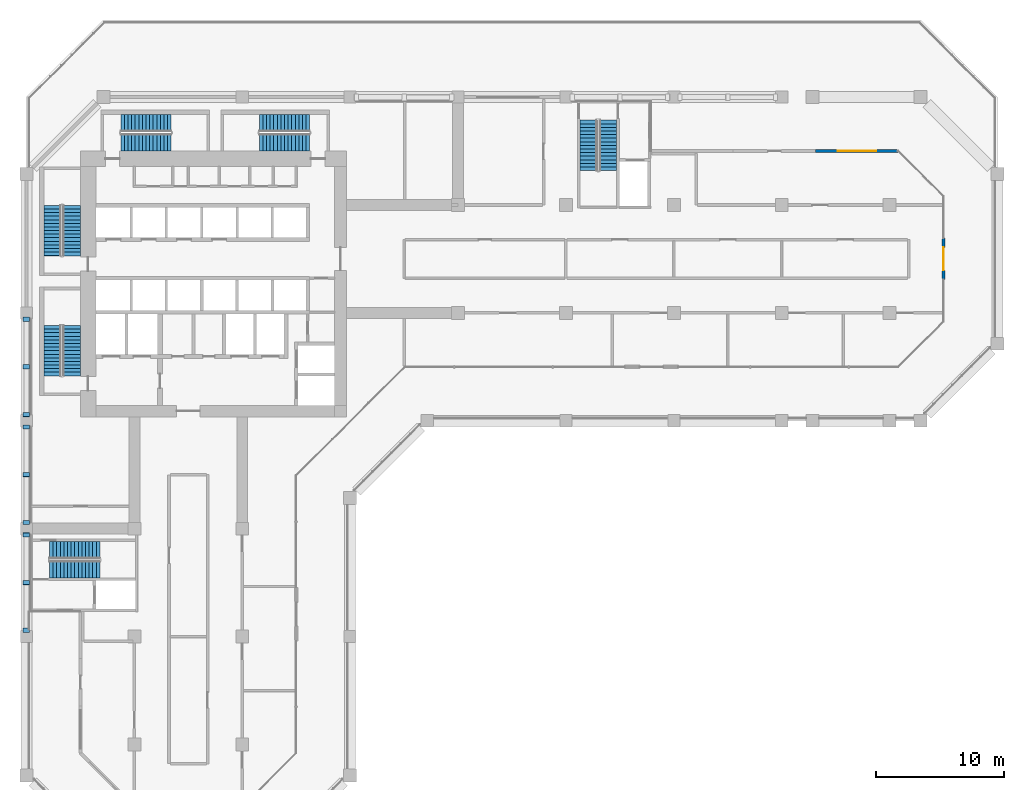
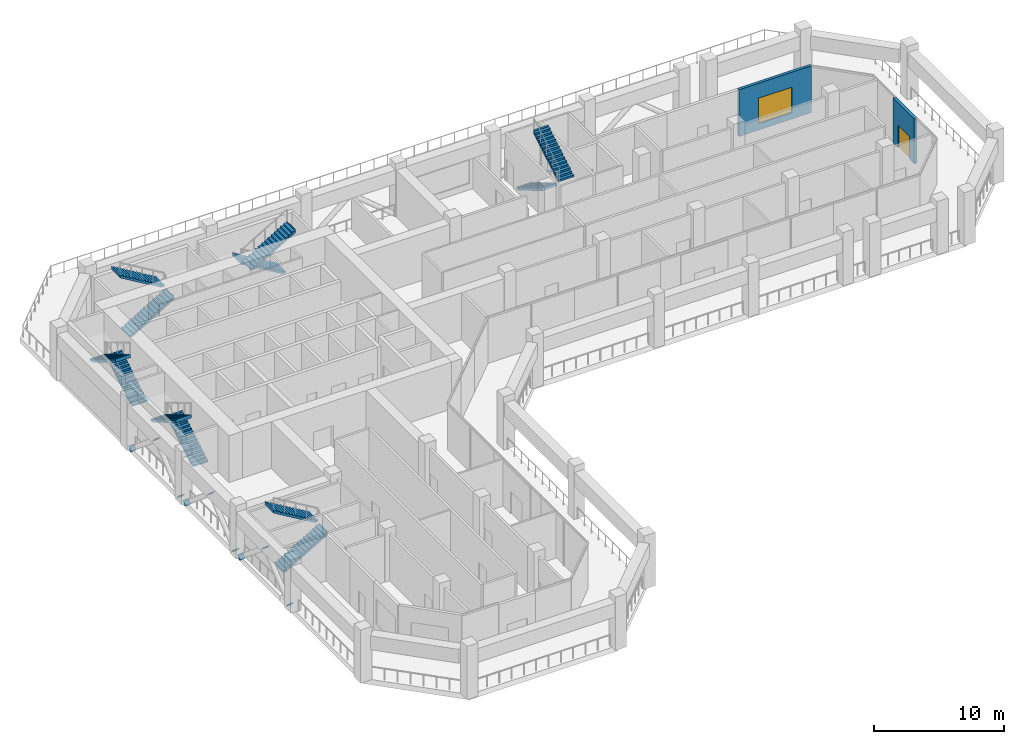
# One storey, part 10 of 19: 12 stair flights, 9 discrete accessories, 2 walls, 1 door, 1 window, 2 openings, 6 elements without a shape of their own.
"""IFC4 building model written with IfcOpenShell, lengths in metres."""

from ifc_helpers import new_model, si_unit, direction, frame, frame_2d, origin, origin_2d, place, context, subcontext, project, spatial, polyline, rectangle, outline, extrude, material, layer, layer_set, material_profile, profile_set, type_object, element, fill, aggregate, save


model = new_model("IFC4")

# Units and contexts
model_context = context("Model", 3, precision=1e-05, world=origin(), true_north=direction((0.0, 1.0)))
body_context = subcontext(model_context, "Body", "Model", "MODEL_VIEW")
ifc_project = project(units=[si_unit("LENGTHUNIT", "METRE"), si_unit("AREAUNIT", "SQUARE_METRE"), si_unit("VOLUMEUNIT", "CUBIC_METRE"), si_unit("PLANEANGLEUNIT", "RADIAN"), si_unit("MASSUNIT", "GRAM", prefix="KILO")], contexts=[model_context])

# Site, building, storey
site_placement = place(None, origin())
site = spatial("IfcSite", under=ifc_project, at=site_placement, CompositionType="ELEMENT")
building_placement = place(site_placement, origin())
building = spatial("IfcBuilding", under=site, at=building_placement, Name="Kawkab Arch Medical Tower", CompositionType="ELEMENT")
storey_placement = place(building_placement, frame((0.0, 0.0, 153.39990234375)))
storey = spatial("IfcBuildingStorey", under=building, at=storey_placement, Name="L35", CompositionType="ELEMENT", Elevation=153.39990234375)

# Wall, opening, door
ifc_material_1 = material(Name="Bronze clad insulated wall panel")
ifc_layer = layer(ifc_material_1, 0.25)
ifc_layer_set = layer_set([ifc_layer], Name="Bronze clad insulated wall panel")
wall_type = type_object("IfcWallType", Name="External wall bay 250", PredefinedType="SOLIDWALL", material=ifc_layer_set)
wall_1_placement = place(storey_placement, frame((71.40087890625, -14.219970703125, 0.0), z_axis=(0.0, 0.0, 1.0), x_axis=(0.0, 1.0, 0.0)))
wall_1 = element("IfcWall", 1, at=wall_1_placement, inside=storey, type_object=wall_type, Name="External wall bay L35.R13.2.1", PredefinedType="SOLIDWALL", context=body_context, shape_type="SweptSolid", body=[
    extrude(rectangle(XDim=3.239990234375, YDim=0.25, at=frame_2d((1.6201171875, 0.0))), origin(), (0.0, 0.0, 1.0), 4.239990234375),
])
opening_1_placement = place(wall_1_placement, frame((0.719970703125, 0.0, 0.0)))
opening_1 = element("IfcOpeningElement", 2, at=opening_1_placement, cuts=wall_1, Name="Opening PL2A-702", PredefinedType="OPENING", context=body_context, shape_type="SweptSolid", body=[
    extrude(rectangle(XDim=1.800048828125, YDim=2.10009765625, at=frame_2d((0.89990234375, 1.050048828125))), frame((0.0, 0.135009765625, 0.0), z_axis=(0.0, -1.0, 0.0), x_axis=(1.0, 0.0, 0.0)), (0.0, 0.0, 1.0), 0.27001953125),
])
ifc_material_2 = material(Name="Bronze anodised aluminium door with tinted glass", Category="aluminium")
door_type = type_object("IfcDoorType", Name="Double external door 1800 x 2100", OperationType="DOUBLE_DOOR_SINGLE_SWING", PredefinedType="DOOR", material=ifc_material_2)
door_placement = place(opening_1_placement, origin())
door = element("IfcDoor", 3, at=door_placement, inside=storey, type_object=door_type, Name="External door L35.R13.2.1", OperationType="DOUBLE_DOOR_SINGLE_SWING", OverallHeight=2.10009765625, OverallWidth=1.800048828125, PredefinedType="DOOR", context=body_context, shape_type="SweptSolid", body=[
    extrude(rectangle(XDim=1.800048828125, YDim=2.10009765625, at=frame_2d((0.89990234375, 1.050048828125))), frame((0.0, 0.02490234375, 0.0), z_axis=(0.0, -1.0, 0.0), x_axis=(1.0, 0.0, 0.0)), (0.0, 0.0, 1.0), 0.050048828125),
])
fill(opening_1, door)

# Wall, opening, window
wall_2_placement = place(storey_placement, frame((67.860107421875, -4.199951171875, 0.0), z_axis=(0.0, 0.0, 1.0), x_axis=(-1.0, 0.0, 0.0)))
wall_2 = element("IfcWall", 4, at=wall_2_placement, inside=storey, type_object=wall_type, Name="Plant wall L35.R15.1", PredefinedType="SOLIDWALL", context=body_context, shape_type="SweptSolid", body=[
    extrude(rectangle(XDim=6.419677734375, YDim=0.25, at=frame_2d((3.2099609375, 0.0))), origin(), (0.0, 0.0, 1.0), 4.400146484375),
])
opening_2_placement = place(wall_2_placement, frame((1.709716796875, 0.0, 0.60009765625)))
opening_2 = element("IfcOpeningElement", 5, at=opening_2_placement, cuts=wall_2, Name="Opening PW300-24-S6", PredefinedType="OPENING", context=body_context, shape_type="SweptSolid", body=[
    extrude(rectangle(XDim=3.0, YDim=2.39990234375, at=frame_2d((1.5, 1.199951171875))), frame((0.0, 0.135009765625, 0.0), z_axis=(0.0, -1.0, 0.0), x_axis=(1.0, 0.0, 0.0)), (0.0, 0.0, 1.0), 0.27001953125),
])
ifc_material_3 = material(Name="Bronze anodised aluminium louvred window", Category="aluminium")
window_type = type_object("IfcWindowType", Name="Plant louvre window 3000 x 2400 sill 600", PartitioningType="DOUBLE_PANEL_VERTICAL", PredefinedType="WINDOW", material=ifc_material_3)
window_placement = place(opening_2_placement, origin())
window = element("IfcWindow", 6, at=window_placement, inside=storey, type_object=window_type, Name="Plant louvre window L35.R15.1", OverallHeight=2.39990234375, OverallWidth=3.0, PartitioningType="SINGLE_PANEL", PredefinedType="WINDOW", context=body_context, shape_type="SweptSolid", body=[
    extrude(rectangle(XDim=3.0, YDim=2.39990234375, at=frame_2d((1.5, 1.199951171875))), frame((0.0, 0.030029296875, 0.0), z_axis=(0.0, -1.0, 0.0), x_axis=(1.0, 0.0, 0.0)), (0.0, 0.0, 1.0), 0.06005859375),
])
fill(opening_2, window)

# Stair, stair flights
ifc_material_4 = material(Name="Concrete C40/50", Category="concrete")
stair_type = type_object("IfcStairType", Name="Exit stair 1350", PredefinedType="HALF_TURN_STAIR", material=ifc_material_4)
placement = place(storey_placement, origin())
stair_1 = element("IfcStair", 7, at=placement, inside=storey, type_object=stair_type, Name="L35 Exit stair ST1", PredefinedType="HALF_TURN_STAIR")
ifc_material_5 = material(Name="Concrete C40/50", Category="concrete")
stair_flight_type = type_object("IfcStairFlightType", Name="Exit stair flight 1350", PredefinedType="STRAIGHT", material=ifc_material_5)
stair_flight_1_placement = place(storey_placement, frame((3.52490234375, -12.35009765625, 0.0), z_axis=(0.0, 0.0, 1.0), x_axis=(0.0, 1.0, 0.0)))
stair_flight_1 = element("IfcStairFlight", 8, at=stair_flight_1_placement, type_object=stair_flight_type, Name="ST1 flight 1", NumberOfRisers=15, NumberOfTreads=14, PredefinedType="STRAIGHT", RiserHeight=0.166666667, TreadLength=0.28, context=body_context, shape_type="SweptSolid", body=[
    extrude(outline(polyline([(-0.0029296875, 0.0), (-0.0029296875, 0.166748046875), (0.0, 0.166748046875), (0.280029296875, 0.166748046875), (0.280029296875, 0.333251953125), (0.56005859375, 0.333251953125), (0.56005859375, 0.5), (0.840087890625, 0.5), (0.840087890625, 0.666748046875), (1.1201171875, 0.666748046875), (1.1201171875, 0.833251953125), (1.39990234375, 0.833251953125), (1.39990234375, 1.0), (1.679931640625, 1.0), (1.679931640625, 1.166748046875), (1.9599609375, 1.166748046875), (1.9599609375, 1.333251953125), (2.239990234375, 1.333251953125), (2.239990234375, 1.5), (2.52001953125, 1.5), (2.52001953125, 1.666748046875), (2.800048828125, 1.666748046875), (2.800048828125, 1.833251953125), (3.080078125, 1.833251953125), (3.080078125, 2.0), (3.360107421875, 2.0), (3.360107421875, 2.166748046875), (3.639892578125, 2.166748046875), (3.639892578125, 2.333251953125), (3.919921875, 2.333251953125), (3.919921875, 2.5), (3.923095703125, 2.5), (3.923095703125, 2.158935546875), (3.919921875, 2.158935546875), (0.29296875, 0.0), (-0.0029296875, 0.0)])), frame((0.0, 0.675048828125, 0.0), z_axis=(0.0, -1.0, 0.0), x_axis=(1.0, 0.0, 0.0)), (0.0, 0.0, 1.0), 1.35009765625),
])
stair_flight_2_placement = place(storey_placement, frame((2.02490234375, -8.429931640625, 2.5), z_axis=(0.0, 0.0, 1.0), x_axis=(0.0, -1.0, 0.0)))
stair_flight_2 = element("IfcStairFlight", 9, at=stair_flight_2_placement, type_object=stair_flight_type, Name="ST1 flight 2", NumberOfRisers=15, NumberOfTreads=14, PredefinedType="STRAIGHT", RiserHeight=0.166666667, TreadLength=0.28, context=body_context, shape_type="SweptSolid", body=[
    extrude(outline(polyline([(-0.0029296875, 0.0), (-0.0029296875, 0.166748046875), (0.0, 0.166748046875), (0.280029296875, 0.166748046875), (0.280029296875, 0.333251953125), (0.56005859375, 0.333251953125), (0.56005859375, 0.5), (0.840087890625, 0.5), (0.840087890625, 0.666748046875), (1.1201171875, 0.666748046875), (1.1201171875, 0.833251953125), (1.39990234375, 0.833251953125), (1.39990234375, 1.0), (1.679931640625, 1.0), (1.679931640625, 1.166748046875), (1.9599609375, 1.166748046875), (1.9599609375, 1.333251953125), (2.239990234375, 1.333251953125), (2.239990234375, 1.5), (2.52001953125, 1.5), (2.52001953125, 1.666748046875), (2.800048828125, 1.666748046875), (2.800048828125, 1.833251953125), (3.080078125, 1.833251953125), (3.080078125, 2.0), (3.360107421875, 2.0), (3.360107421875, 2.166748046875), (3.639892578125, 2.166748046875), (3.639892578125, 2.333251953125), (3.919921875, 2.333251953125), (3.919921875, 2.5), (3.923095703125, 2.5), (3.923095703125, 2.158935546875), (3.919921875, 2.158935546875), (0.29296875, 0.0), (-0.0029296875, 0.0)])), frame((0.0, 0.675048828125, 0.0), z_axis=(0.0, -1.0, 0.0), x_axis=(1.0, 0.0, 0.0)), (0.0, 0.0, 1.0), 1.35009765625),
])
aggregate(stair_1, [stair_flight_1, stair_flight_2])

stair_2 = element("IfcStair", 10, at=placement, inside=storey, type_object=stair_type, Name="L35 Exit stair ST2", PredefinedType="HALF_TURN_STAIR")
stair_flight_3_placement = place(storey_placement, frame((3.52490234375, -21.699951171875, 0.0), z_axis=(0.0, 0.0, 1.0), x_axis=(0.0, 1.0, 0.0)))
stair_flight_3 = element("IfcStairFlight", 11, at=stair_flight_3_placement, type_object=stair_flight_type, Name="ST2 flight 1", NumberOfRisers=15, NumberOfTreads=14, PredefinedType="STRAIGHT", RiserHeight=0.166666667, TreadLength=0.28, context=body_context, shape_type="SweptSolid", body=[
    extrude(outline(polyline([(-0.0029296875, 0.0), (-0.0029296875, 0.166748046875), (0.0, 0.166748046875), (0.280029296875, 0.166748046875), (0.280029296875, 0.333251953125), (0.56005859375, 0.333251953125), (0.56005859375, 0.5), (0.840087890625, 0.5), (0.840087890625, 0.666748046875), (1.1201171875, 0.666748046875), (1.1201171875, 0.833251953125), (1.39990234375, 0.833251953125), (1.39990234375, 1.0), (1.679931640625, 1.0), (1.679931640625, 1.166748046875), (1.9599609375, 1.166748046875), (1.9599609375, 1.333251953125), (2.239990234375, 1.333251953125), (2.239990234375, 1.5), (2.52001953125, 1.5), (2.52001953125, 1.666748046875), (2.800048828125, 1.666748046875), (2.800048828125, 1.833251953125), (3.080078125, 1.833251953125), (3.080078125, 2.0), (3.360107421875, 2.0), (3.360107421875, 2.166748046875), (3.639892578125, 2.166748046875), (3.639892578125, 2.333251953125), (3.919921875, 2.333251953125), (3.919921875, 2.5), (3.923095703125, 2.5), (3.923095703125, 2.158935546875), (3.919921875, 2.158935546875), (0.29296875, 0.0), (-0.0029296875, 0.0)])), frame((0.0, 0.675048828125, 0.0), z_axis=(0.0, -1.0, 0.0), x_axis=(1.0, 0.0, 0.0)), (0.0, 0.0, 1.0), 1.35009765625),
])
stair_flight_4_placement = place(storey_placement, frame((2.02490234375, -17.780029296875, 2.5), z_axis=(0.0, 0.0, 1.0), x_axis=(0.0, -1.0, 0.0)))
stair_flight_4 = element("IfcStairFlight", 12, at=stair_flight_4_placement, type_object=stair_flight_type, Name="ST2 flight 2", NumberOfRisers=15, NumberOfTreads=14, PredefinedType="STRAIGHT", RiserHeight=0.166666667, TreadLength=0.28, context=body_context, shape_type="SweptSolid", body=[
    extrude(outline(polyline([(-0.0029296875, 0.0), (-0.0029296875, 0.166748046875), (0.0, 0.166748046875), (0.280029296875, 0.166748046875), (0.280029296875, 0.333251953125), (0.56005859375, 0.333251953125), (0.56005859375, 0.5), (0.840087890625, 0.5), (0.840087890625, 0.666748046875), (1.1201171875, 0.666748046875), (1.1201171875, 0.833251953125), (1.39990234375, 0.833251953125), (1.39990234375, 1.0), (1.679931640625, 1.0), (1.679931640625, 1.166748046875), (1.9599609375, 1.166748046875), (1.9599609375, 1.333251953125), (2.239990234375, 1.333251953125), (2.239990234375, 1.5), (2.52001953125, 1.5), (2.52001953125, 1.666748046875), (2.800048828125, 1.666748046875), (2.800048828125, 1.833251953125), (3.080078125, 1.833251953125), (3.080078125, 2.0), (3.360107421875, 2.0), (3.360107421875, 2.166748046875), (3.639892578125, 2.166748046875), (3.639892578125, 2.333251953125), (3.919921875, 2.333251953125), (3.919921875, 2.5), (3.923095703125, 2.5), (3.923095703125, 2.158935546875), (3.919921875, 2.158935546875), (0.29296875, 0.0), (-0.0029296875, 0.0)])), frame((0.0, 0.675048828125, 0.0), z_axis=(0.0, -1.0, 0.0), x_axis=(1.0, 0.0, 0.0)), (0.0, 0.0, 1.0), 1.35009765625),
])
aggregate(stair_2, [stair_flight_3, stair_flight_4])

stair_3 = element("IfcStair", 13, at=placement, inside=storey, type_object=stair_type, Name="L35 Exit stair ST3", PredefinedType="HALF_TURN_STAIR")
stair_flight_5_placement = place(storey_placement, frame((7.35009765625, -3.52490234375, 0.0), z_axis=(0.0, 0.0, 1.0), x_axis=(1.0, 0.0, 0.0)))
stair_flight_5 = element("IfcStairFlight", 14, at=stair_flight_5_placement, type_object=stair_flight_type, Name="ST3 flight 1", NumberOfRisers=15, NumberOfTreads=14, PredefinedType="STRAIGHT", RiserHeight=0.166666667, TreadLength=0.28, context=body_context, shape_type="SweptSolid", body=[
    extrude(outline(polyline([(-0.0029296875, 0.0), (-0.0029296875, 0.166748046875), (0.0, 0.166748046875), (0.280029296875, 0.166748046875), (0.280029296875, 0.333251953125), (0.56005859375, 0.333251953125), (0.56005859375, 0.5), (0.840087890625, 0.5), (0.840087890625, 0.666748046875), (1.1201171875, 0.666748046875), (1.1201171875, 0.833251953125), (1.39990234375, 0.833251953125), (1.39990234375, 1.0), (1.679931640625, 1.0), (1.679931640625, 1.166748046875), (1.9599609375, 1.166748046875), (1.9599609375, 1.333251953125), (2.239990234375, 1.333251953125), (2.239990234375, 1.5), (2.52001953125, 1.5), (2.52001953125, 1.666748046875), (2.800048828125, 1.666748046875), (2.800048828125, 1.833251953125), (3.080078125, 1.833251953125), (3.080078125, 2.0), (3.360107421875, 2.0), (3.360107421875, 2.166748046875), (3.639892578125, 2.166748046875), (3.639892578125, 2.333251953125), (3.919921875, 2.333251953125), (3.919921875, 2.5), (3.923095703125, 2.5), (3.923095703125, 2.158935546875), (3.919921875, 2.158935546875), (0.29296875, 0.0), (-0.0029296875, 0.0)])), frame((0.0, 0.675048828125, 0.0), z_axis=(0.0, -1.0, 0.0), x_axis=(1.0, 0.0, 0.0)), (0.0, 0.0, 1.0), 1.35009765625),
])
stair_flight_6_placement = place(storey_placement, frame((11.27001953125, -2.02490234375, 2.5), z_axis=(0.0, 0.0, 1.0), x_axis=(-1.0, 0.0, 0.0)))
stair_flight_6 = element("IfcStairFlight", 15, at=stair_flight_6_placement, type_object=stair_flight_type, Name="ST3 flight 2", NumberOfRisers=15, NumberOfTreads=14, PredefinedType="STRAIGHT", RiserHeight=0.166666667, TreadLength=0.28, context=body_context, shape_type="SweptSolid", body=[
    extrude(outline(polyline([(-0.0029296875, 0.0), (-0.0029296875, 0.166748046875), (0.0, 0.166748046875), (0.280029296875, 0.166748046875), (0.280029296875, 0.333251953125), (0.56005859375, 0.333251953125), (0.56005859375, 0.5), (0.840087890625, 0.5), (0.840087890625, 0.666748046875), (1.1201171875, 0.666748046875), (1.1201171875, 0.833251953125), (1.39990234375, 0.833251953125), (1.39990234375, 1.0), (1.679931640625, 1.0), (1.679931640625, 1.166748046875), (1.9599609375, 1.166748046875), (1.9599609375, 1.333251953125), (2.239990234375, 1.333251953125), (2.239990234375, 1.5), (2.52001953125, 1.5), (2.52001953125, 1.666748046875), (2.800048828125, 1.666748046875), (2.800048828125, 1.833251953125), (3.080078125, 1.833251953125), (3.080078125, 2.0), (3.360107421875, 2.0), (3.360107421875, 2.166748046875), (3.639892578125, 2.166748046875), (3.639892578125, 2.333251953125), (3.919921875, 2.333251953125), (3.919921875, 2.5), (3.923095703125, 2.5), (3.923095703125, 2.158935546875), (3.919921875, 2.158935546875), (0.29296875, 0.0), (-0.0029296875, 0.0)])), frame((0.0, 0.675048828125, 0.0), z_axis=(0.0, -1.0, 0.0), x_axis=(1.0, 0.0, 0.0)), (0.0, 0.0, 1.0), 1.35009765625),
])
aggregate(stair_3, [stair_flight_5, stair_flight_6])

stair_4 = element("IfcStair", 16, at=placement, inside=storey, type_object=stair_type, Name="L35 Exit stair ST4", PredefinedType="HALF_TURN_STAIR")
stair_flight_7_placement = place(storey_placement, frame((22.050048828125, -2.02490234375, 0.0), z_axis=(0.0, 0.0, 1.0), x_axis=(-1.0, 0.0, 0.0)))
stair_flight_7 = element("IfcStairFlight", 17, at=stair_flight_7_placement, type_object=stair_flight_type, Name="ST4 flight 1", NumberOfRisers=15, NumberOfTreads=14, PredefinedType="STRAIGHT", RiserHeight=0.166666667, TreadLength=0.28, context=body_context, shape_type="SweptSolid", body=[
    extrude(outline(polyline([(-0.0029296875, 0.0), (-0.0029296875, 0.166748046875), (0.0, 0.166748046875), (0.280029296875, 0.166748046875), (0.280029296875, 0.333251953125), (0.56005859375, 0.333251953125), (0.56005859375, 0.5), (0.840087890625, 0.5), (0.840087890625, 0.666748046875), (1.1201171875, 0.666748046875), (1.1201171875, 0.833251953125), (1.39990234375, 0.833251953125), (1.39990234375, 1.0), (1.679931640625, 1.0), (1.679931640625, 1.166748046875), (1.9599609375, 1.166748046875), (1.9599609375, 1.333251953125), (2.239990234375, 1.333251953125), (2.239990234375, 1.5), (2.52001953125, 1.5), (2.52001953125, 1.666748046875), (2.800048828125, 1.666748046875), (2.800048828125, 1.833251953125), (3.080078125, 1.833251953125), (3.080078125, 2.0), (3.360107421875, 2.0), (3.360107421875, 2.166748046875), (3.639892578125, 2.166748046875), (3.639892578125, 2.333251953125), (3.919921875, 2.333251953125), (3.919921875, 2.5), (3.923095703125, 2.5), (3.923095703125, 2.158935546875), (3.919921875, 2.158935546875), (0.29296875, 0.0), (-0.0029296875, 0.0)])), frame((0.0, 0.675048828125, 0.0), z_axis=(0.0, -1.0, 0.0), x_axis=(1.0, 0.0, 0.0)), (0.0, 0.0, 1.0), 1.35009765625),
])
stair_flight_8_placement = place(storey_placement, frame((18.1298828125, -3.52490234375, 2.5), z_axis=(0.0, 0.0, 1.0), x_axis=(1.0, 0.0, 0.0)))
stair_flight_8 = element("IfcStairFlight", 18, at=stair_flight_8_placement, type_object=stair_flight_type, Name="ST4 flight 2", NumberOfRisers=15, NumberOfTreads=14, PredefinedType="STRAIGHT", RiserHeight=0.166666667, TreadLength=0.28, context=body_context, shape_type="SweptSolid", body=[
    extrude(outline(polyline([(-0.0029296875, 0.0), (-0.0029296875, 0.166748046875), (0.0, 0.166748046875), (0.280029296875, 0.166748046875), (0.280029296875, 0.333251953125), (0.56005859375, 0.333251953125), (0.56005859375, 0.5), (0.840087890625, 0.5), (0.840087890625, 0.666748046875), (1.1201171875, 0.666748046875), (1.1201171875, 0.833251953125), (1.39990234375, 0.833251953125), (1.39990234375, 1.0), (1.679931640625, 1.0), (1.679931640625, 1.166748046875), (1.9599609375, 1.166748046875), (1.9599609375, 1.333251953125), (2.239990234375, 1.333251953125), (2.239990234375, 1.5), (2.52001953125, 1.5), (2.52001953125, 1.666748046875), (2.800048828125, 1.666748046875), (2.800048828125, 1.833251953125), (3.080078125, 1.833251953125), (3.080078125, 2.0), (3.360107421875, 2.0), (3.360107421875, 2.166748046875), (3.639892578125, 2.166748046875), (3.639892578125, 2.333251953125), (3.919921875, 2.333251953125), (3.919921875, 2.5), (3.923095703125, 2.5), (3.923095703125, 2.158935546875), (3.919921875, 2.158935546875), (0.29296875, 0.0), (-0.0029296875, 0.0)])), frame((0.0, 0.675048828125, 0.0), z_axis=(0.0, -1.0, 0.0), x_axis=(1.0, 0.0, 0.0)), (0.0, 0.0, 1.0), 1.35009765625),
])
aggregate(stair_4, [stair_flight_7, stair_flight_8])

stair_5 = element("IfcStair", 19, at=placement, inside=storey, type_object=stair_type, Name="L35 Exit stair ST5", PredefinedType="HALF_TURN_STAIR")
stair_flight_9_placement = place(storey_placement, frame((43.77490234375, -1.800048828125, 0.0), z_axis=(0.0, 0.0, 1.0), x_axis=(0.0, -1.0, 0.0)))
stair_flight_9 = element("IfcStairFlight", 20, at=stair_flight_9_placement, type_object=stair_flight_type, Name="ST5 flight 1", NumberOfRisers=15, NumberOfTreads=14, PredefinedType="STRAIGHT", RiserHeight=0.166666667, TreadLength=0.28, context=body_context, shape_type="SweptSolid", body=[
    extrude(outline(polyline([(-0.0029296875, 0.0), (-0.0029296875, 0.166748046875), (0.0, 0.166748046875), (0.280029296875, 0.166748046875), (0.280029296875, 0.333251953125), (0.56005859375, 0.333251953125), (0.56005859375, 0.5), (0.840087890625, 0.5), (0.840087890625, 0.666748046875), (1.1201171875, 0.666748046875), (1.1201171875, 0.833251953125), (1.39990234375, 0.833251953125), (1.39990234375, 1.0), (1.679931640625, 1.0), (1.679931640625, 1.166748046875), (1.9599609375, 1.166748046875), (1.9599609375, 1.333251953125), (2.239990234375, 1.333251953125), (2.239990234375, 1.5), (2.52001953125, 1.5), (2.52001953125, 1.666748046875), (2.800048828125, 1.666748046875), (2.800048828125, 1.833251953125), (3.080078125, 1.833251953125), (3.080078125, 2.0), (3.360107421875, 2.0), (3.360107421875, 2.166748046875), (3.639892578125, 2.166748046875), (3.639892578125, 2.333251953125), (3.919921875, 2.333251953125), (3.919921875, 2.5), (3.923095703125, 2.5), (3.923095703125, 2.158935546875), (3.919921875, 2.158935546875), (0.29296875, 0.0), (-0.0029296875, 0.0)])), frame((0.0, 0.675048828125, 0.0), z_axis=(0.0, -1.0, 0.0), x_axis=(1.0, 0.0, 0.0)), (0.0, 0.0, 1.0), 1.35009765625),
])
stair_flight_10_placement = place(storey_placement, frame((45.27490234375, -5.719970703125, 2.5), z_axis=(0.0, 0.0, 1.0), x_axis=(0.0, 1.0, 0.0)))
stair_flight_10 = element("IfcStairFlight", 21, at=stair_flight_10_placement, type_object=stair_flight_type, Name="ST5 flight 2", NumberOfRisers=15, NumberOfTreads=14, PredefinedType="STRAIGHT", RiserHeight=0.166666667, TreadLength=0.28, context=body_context, shape_type="SweptSolid", body=[
    extrude(outline(polyline([(-0.0029296875, 0.0), (-0.0029296875, 0.166748046875), (0.0, 0.166748046875), (0.280029296875, 0.166748046875), (0.280029296875, 0.333251953125), (0.56005859375, 0.333251953125), (0.56005859375, 0.5), (0.840087890625, 0.5), (0.840087890625, 0.666748046875), (1.1201171875, 0.666748046875), (1.1201171875, 0.833251953125), (1.39990234375, 0.833251953125), (1.39990234375, 1.0), (1.679931640625, 1.0), (1.679931640625, 1.166748046875), (1.9599609375, 1.166748046875), (1.9599609375, 1.333251953125), (2.239990234375, 1.333251953125), (2.239990234375, 1.5), (2.52001953125, 1.5), (2.52001953125, 1.666748046875), (2.800048828125, 1.666748046875), (2.800048828125, 1.833251953125), (3.080078125, 1.833251953125), (3.080078125, 2.0), (3.360107421875, 2.0), (3.360107421875, 2.166748046875), (3.639892578125, 2.166748046875), (3.639892578125, 2.333251953125), (3.919921875, 2.333251953125), (3.919921875, 2.5), (3.923095703125, 2.5), (3.923095703125, 2.158935546875), (3.919921875, 2.158935546875), (0.29296875, 0.0), (-0.0029296875, 0.0)])), frame((0.0, 0.675048828125, 0.0), z_axis=(0.0, -1.0, 0.0), x_axis=(1.0, 0.0, 0.0)), (0.0, 0.0, 1.0), 1.35009765625),
])
aggregate(stair_5, [stair_flight_9, stair_flight_10])

stair_6 = element("IfcStair", 22, at=placement, inside=storey, type_object=stair_type, Name="L35 Exit stair ST6", PredefinedType="HALF_TURN_STAIR")
stair_flight_11_placement = place(storey_placement, frame((1.800048828125, -36.77490234375, 0.0), z_axis=(0.0, 0.0, 1.0), x_axis=(1.0, 0.0, 0.0)))
stair_flight_11 = element("IfcStairFlight", 23, at=stair_flight_11_placement, type_object=stair_flight_type, Name="ST6 flight 1", NumberOfRisers=15, NumberOfTreads=14, PredefinedType="STRAIGHT", RiserHeight=0.166666667, TreadLength=0.28, context=body_context, shape_type="SweptSolid", body=[
    extrude(outline(polyline([(-0.0029296875, 0.0), (-0.0029296875, 0.166748046875), (0.0, 0.166748046875), (0.280029296875, 0.166748046875), (0.280029296875, 0.333251953125), (0.56005859375, 0.333251953125), (0.56005859375, 0.5), (0.840087890625, 0.5), (0.840087890625, 0.666748046875), (1.1201171875, 0.666748046875), (1.1201171875, 0.833251953125), (1.39990234375, 0.833251953125), (1.39990234375, 1.0), (1.679931640625, 1.0), (1.679931640625, 1.166748046875), (1.9599609375, 1.166748046875), (1.9599609375, 1.333251953125), (2.239990234375, 1.333251953125), (2.239990234375, 1.5), (2.52001953125, 1.5), (2.52001953125, 1.666748046875), (2.800048828125, 1.666748046875), (2.800048828125, 1.833251953125), (3.080078125, 1.833251953125), (3.080078125, 2.0), (3.360107421875, 2.0), (3.360107421875, 2.166748046875), (3.639892578125, 2.166748046875), (3.639892578125, 2.333251953125), (3.919921875, 2.333251953125), (3.919921875, 2.5), (3.923095703125, 2.5), (3.923095703125, 2.158935546875), (3.919921875, 2.158935546875), (0.29296875, 0.0), (-0.0029296875, 0.0)])), frame((0.0, 0.675048828125, 0.0), z_axis=(0.0, -1.0, 0.0), x_axis=(1.0, 0.0, 0.0)), (0.0, 0.0, 1.0), 1.35009765625),
])
stair_flight_12_placement = place(storey_placement, frame((5.719970703125, -35.27490234375, 2.5), z_axis=(0.0, 0.0, 1.0), x_axis=(-1.0, 0.0, 0.0)))
stair_flight_12 = element("IfcStairFlight", 24, at=stair_flight_12_placement, type_object=stair_flight_type, Name="ST6 flight 2", NumberOfRisers=15, NumberOfTreads=14, PredefinedType="STRAIGHT", RiserHeight=0.166666667, TreadLength=0.28, context=body_context, shape_type="SweptSolid", body=[
    extrude(outline(polyline([(-0.0029296875, 0.0), (-0.0029296875, 0.166748046875), (0.0, 0.166748046875), (0.280029296875, 0.166748046875), (0.280029296875, 0.333251953125), (0.56005859375, 0.333251953125), (0.56005859375, 0.5), (0.840087890625, 0.5), (0.840087890625, 0.666748046875), (1.1201171875, 0.666748046875), (1.1201171875, 0.833251953125), (1.39990234375, 0.833251953125), (1.39990234375, 1.0), (1.679931640625, 1.0), (1.679931640625, 1.166748046875), (1.9599609375, 1.166748046875), (1.9599609375, 1.333251953125), (2.239990234375, 1.333251953125), (2.239990234375, 1.5), (2.52001953125, 1.5), (2.52001953125, 1.666748046875), (2.800048828125, 1.666748046875), (2.800048828125, 1.833251953125), (3.080078125, 1.833251953125), (3.080078125, 2.0), (3.360107421875, 2.0), (3.360107421875, 2.166748046875), (3.639892578125, 2.166748046875), (3.639892578125, 2.333251953125), (3.919921875, 2.333251953125), (3.919921875, 2.5), (3.923095703125, 2.5), (3.923095703125, 2.158935546875), (3.919921875, 2.158935546875), (0.29296875, 0.0), (-0.0029296875, 0.0)])), frame((0.0, 0.675048828125, 0.0), z_axis=(0.0, -1.0, 0.0), x_axis=(1.0, 0.0, 0.0)), (0.0, 0.0, 1.0), 1.35009765625),
])
aggregate(stair_6, [stair_flight_11, stair_flight_12])

# Discrete accessories
ifc_material_6 = material(Name="Steel S355", Category="steel")
ifc_material_profile = material_profile(ifc_material_6, rectangle(XDim=0.506103515625, YDim=0.506103515625, at=origin_2d()), Name="End plate 506 x 20")
ifc_profile_set = profile_set([ifc_material_profile], Name="Steel S355")
discrete_accessory_type = type_object("IfcDiscreteAccessoryType", Name="End plate 506 x 20", PredefinedType="ANCHORPLATE", material=ifc_profile_set)
for number, where, z_axis, x_axis, name in (
    (25, (0.0, -37.8076171875, 3.175048828125), (0.0, 0.771223025002, 0.63656503651), (-1.0, 0.0, 0.0), "End plate BT3"),
    (26, (0.0, -29.40771484375, 3.175048828125), (0.0, 0.771223025002, 0.63656503651), (-1.0, 0.0, 0.0), "End plate BT3"),
    (27, (0.0, -21.0078125, 3.175048828125), (0.0, 0.776114000116, 0.630592625094), (-1.0, 0.0, 0.0), "End plate BT3"),
    (28, (0.0, -41.509521484375, 0.10498046875), (0.0, -0.771223025002, -0.63656503651), (1.0, 0.0, 0.0), "End plate BT3"),
    (29, (0.0, -34.09033203125, 0.10498046875), (0.0, 0.771223025002, -0.63656503651), (-1.0, 0.0, 0.0), "End plate BT3"),
    (30, (0.0, -33.109619140625, 0.10498046875), (0.0, -0.771223025002, -0.63656503651), (1.0, 0.0, 0.0), "End plate BT3"),
    (31, (0.0, -25.6904296875, 0.10498046875), (0.0, 0.771223025002, -0.63656503651), (-1.0, 0.0, 0.0), "End plate BT3"),
    (32, (0.0, -24.709716796875, 0.10498046875), (0.0, -0.771223025002, -0.63656503651), (1.0, 0.0, 0.0), "End plate BT3"),
    (33, (0.0, -17.290283203125, 0.10498046875), (0.0, 0.771223025002, -0.63656503651), (-1.0, 0.0, 0.0), "End plate BT3"),
):
    element("IfcDiscreteAccessory", number, at=place(storey_placement, frame(where, z_axis=z_axis, x_axis=x_axis)), inside=storey, type_object=discrete_accessory_type, Name=name, PredefinedType="ANCHORPLATE", context=body_context, shape_type="SweptSolid", body=[
        extrude(rectangle(XDim=0.506103515625, YDim=0.506103515625, at=origin_2d()), origin(), (0.0, 0.0, 1.0), 0.02001953125),
    ])

save(model, "model.ifc")
